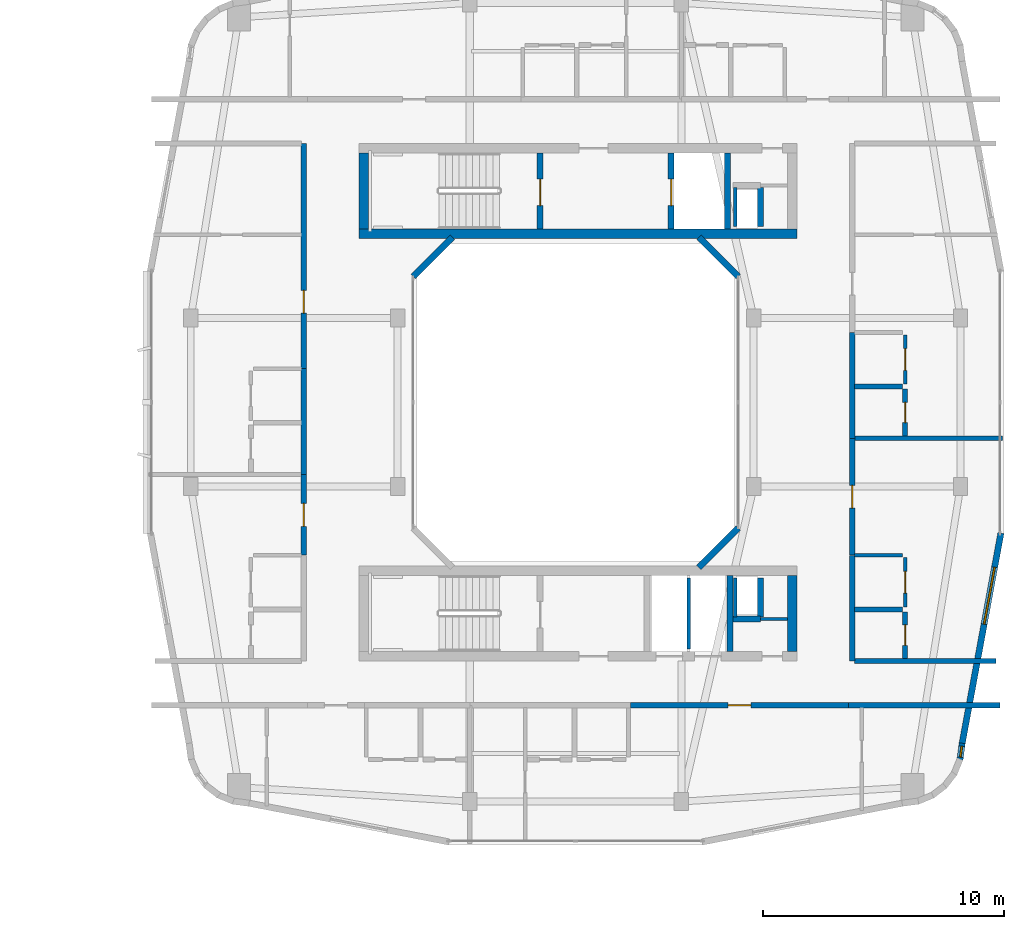
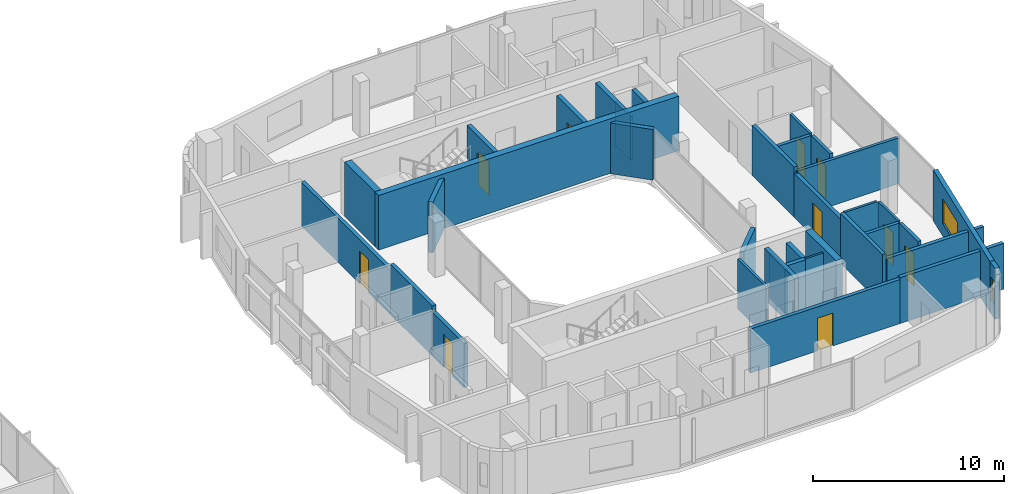
# One storey, part 18 of 26: 36 walls, 10 doors, 2 windows, 12 openings.
"""IFC4 building model written with IfcOpenShell, lengths in metres."""

from ifc_helpers import new_model, si_unit, derived_unit, direction, frame, frame_2d, origin, place, context, subcontext, project, spatial, rectangle, extrude, material, layer, layer_set, type_object, element, fill, save


model = new_model("IFC4")

# Units and contexts
model_context = context("Model", 3, precision=1e-05, world=origin(), true_north=direction((0.0, 1.0)))
body_context = subcontext(model_context, "Body", "Model", "MODEL_VIEW")
ifc_project = project(units=[si_unit("LENGTHUNIT", "METRE"), si_unit("AREAUNIT", "SQUARE_METRE"), si_unit("VOLUMEUNIT", "CUBIC_METRE"), si_unit("PLANEANGLEUNIT", "RADIAN"), si_unit("MASSUNIT", "GRAM", prefix="KILO"), derived_unit("THERMALTRANSMITTANCEUNIT", [(si_unit("POWERUNIT", "WATT"), 1), (si_unit("LENGTHUNIT", "METRE"), -2), (si_unit("THERMODYNAMICTEMPERATUREUNIT", "KELVIN"), -1)])], contexts=[model_context])

# Site, building, storey
site_placement = place(None, origin())
site = spatial("IfcSite", under=ifc_project, at=site_placement, CompositionType="ELEMENT")
building_placement = place(site_placement, origin())
building = spatial("IfcBuilding", under=site, at=building_placement, Name="Kivonza Crest Hotel", CompositionType="ELEMENT")
storey_placement = place(building_placement, frame((0.0, 0.0, 95.0)))
storey = spatial("IfcBuildingStorey", under=building, at=storey_placement, Name="L25", CompositionType="ELEMENT", Elevation=95.0)

# Walls
ifc_material_1 = material(Name="High-density acoustic masonry inter-tenancy wall", Category="masonry")
ifc_layer_1 = layer(ifc_material_1, 0.179931640625)
ifc_layer_set_1 = layer_set([ifc_layer_1], Name="High-density acoustic masonry inter-tenancy wall")
wall_type_1 = type_object("IfcWallType", Name="WL-ACOU-180", PredefinedType="SOLIDWALL", material=ifc_layer_set_1)
wall_1_placement = place(storey_placement, frame((88.5, 23.5, 0.0), z_axis=(0.0, 0.0, 1.0), x_axis=(1.0, 0.0, 0.0)))
element("IfcWall", 1, at=wall_1_placement, inside=storey, type_object=wall_type_1, Name="L25 interior partition WA-L25-T2E-DIV1", PredefinedType="SOLIDWALL", context=body_context, shape_type="SweptSolid", body=[
    extrude(rectangle(XDim=6.239990234375, YDim=0.179931640625, at=frame_2d((3.1201171875, 0.0))), origin(), (0.0, 0.0, 1.0), 2.945068359375),
])
ifc_material_2 = material(Name="Autoclaved aerated concrete blockwork", Category="masonry")
ifc_layer_2 = layer(ifc_material_2, 0.219970703125)
ifc_layer_set_2 = layer_set([ifc_layer_2], Name="Autoclaved aerated concrete blockwork")
wall_type_2 = type_object("IfcWallType", Name="WL-ACOU-220", PredefinedType="SOLIDWALL", material=ifc_layer_set_2)
wall_2_placement = place(storey_placement, frame((88.35009765625, 12.39990234375, 0.0), z_axis=(0.0, 0.0, 1.0), x_axis=(1.0, 0.0, 0.0)))
element("IfcWall", 2, at=wall_2_placement, inside=storey, type_object=wall_type_2, Name="L25 interior partition WA-L25-A04-RCORR", PredefinedType="SOLIDWALL", context=body_context, shape_type="SweptSolid", body=[
    extrude(rectangle(XDim=6.289794921875, YDim=0.219970703125, at=frame_2d((3.14501953125, 0.0))), origin(), (0.0, 0.0, 1.0), 2.945068359375),
])

# Wall, opening, door
wall_3_placement = place(storey_placement, frame((79.280029296875, 12.39990234375, 0.0), z_axis=(0.0, 0.0, 1.0), x_axis=(1.0, 0.0, 0.0)))
wall_3 = element("IfcWall", 3, at=wall_3_placement, inside=storey, type_object=wall_type_2, Name="L25 interior partition WA-L25-A04-MCORR", PredefinedType="SOLIDWALL", context=body_context, shape_type="SweptSolid", body=[
    extrude(rectangle(XDim=9.070068359375, YDim=0.219970703125, at=frame_2d((4.53515625, 0.0))), origin(), (0.0, 0.0, 1.0), 2.824951171875),
])
opening_1_placement = place(wall_3_placement, frame((4.06005859375, 0.0, 0.0)))
opening_1 = element("IfcOpeningElement", 4, at=opening_1_placement, cuts=wall_3, Name="Opening DU-60", PredefinedType="OPENING", context=body_context, shape_type="SweptSolid", body=[
    extrude(rectangle(XDim=0.949951171875, YDim=2.10009765625, at=frame_2d((0.47509765625, 1.050048828125))), frame((0.0, 0.1201171875, 0.0), z_axis=(0.0, -1.0, 0.0), x_axis=(1.0, 0.0, 0.0)), (0.0, 0.0, 1.0), 0.239990234375),
])
ifc_material_3 = material(Name="Hardwood timber oak", Category="wood")
door_type_1 = type_object("IfcDoorType", Name="DR-UNIT-950", OperationType="NOTDEFINED", PredefinedType="DOOR", material=ifc_material_3)
door_1_placement = place(opening_1_placement, frame((0.949951171875, 0.0, 0.0), z_axis=(0.0, 0.0, 1.0), x_axis=(-1.0, 0.0, 0.0)))
door_1 = element("IfcDoor", 5, at=door_1_placement, inside=storey, type_object=door_type_1, Name="L25 A04 apartment entrance fire door", OperationType="SINGLE_SWING_RIGHT", OverallHeight=2.10009765625, OverallWidth=0.949951171875, PredefinedType="DOOR", context=body_context, shape_type="SweptSolid", body=[
    extrude(rectangle(XDim=0.949951171875, YDim=2.10009765625, at=frame_2d((0.47509765625, 1.050048828125))), frame((0.0, 0.02490234375, 0.0), z_axis=(0.0, -1.0, 0.0), x_axis=(1.0, 0.0, 0.0)), (0.0, 0.0, 1.0), 0.050048828125),
])
fill(opening_1, door_1)

wall_4_placement = place(storey_placement, frame((65.699951171875, 18.639892578125, 0.0), z_axis=(0.0, 0.0, 1.0), x_axis=(0.0, 1.0, 0.0)))
wall_4 = element("IfcWall", 6, at=wall_4_placement, inside=storey, type_object=wall_type_2, Name="L25 interior partition WA-L25-A05-MCORR", PredefinedType="SOLIDWALL", context=body_context, shape_type="SweptSolid", body=[
    extrude(rectangle(XDim=3.360107421875, YDim=0.219970703125, at=frame_2d((1.68017578125, 0.0))), origin(), (0.0, 0.0, 1.0), 2.824951171875),
])
opening_2_placement = place(wall_4_placement, frame((1.205078125, 0.0, 0.0)))
opening_2 = element("IfcOpeningElement", 7, at=opening_2_placement, cuts=wall_4, Name="Opening DU-60", PredefinedType="OPENING", context=body_context, shape_type="SweptSolid", body=[
    extrude(rectangle(XDim=0.949951171875, YDim=2.10009765625, at=frame_2d((0.47509765625, 1.050048828125))), frame((0.0, 0.1201171875, 0.0), z_axis=(0.0, -1.0, 0.0), x_axis=(1.0, 0.0, 0.0)), (0.0, 0.0, 1.0), 0.239990234375),
])
door_2_placement = place(opening_2_placement, origin())
door_2 = element("IfcDoor", 8, at=door_2_placement, inside=storey, type_object=door_type_1, Name="L25 A05 apartment entrance fire door", OperationType="SINGLE_SWING_LEFT", OverallHeight=2.10009765625, OverallWidth=0.949951171875, PredefinedType="DOOR", context=body_context, shape_type="SweptSolid", body=[
    extrude(rectangle(XDim=0.949951171875, YDim=2.10009765625, at=frame_2d((0.47509765625, 1.050048828125))), frame((0.0, 0.02490234375, 0.0), z_axis=(0.0, -1.0, 0.0), x_axis=(1.0, 0.0, 0.0)), (0.0, 0.0, 1.0), 0.050048828125),
])
fill(opening_2, door_2)

# Wall
wall_5_placement = place(storey_placement, frame((65.699951171875, 22.0, 0.0), z_axis=(0.0, 0.0, 1.0), x_axis=(0.0, 1.0, 0.0)))
element("IfcWall", 9, at=wall_5_placement, inside=storey, type_object=wall_type_2, Name="L25 interior partition WA-L25-A06-BCORR", PredefinedType="SOLIDWALL", context=body_context, shape_type="SweptSolid", body=[
    extrude(rectangle(XDim=4.39990234375, YDim=0.219970703125, at=frame_2d((2.199951171875, 0.0))), origin(), (0.0, 0.0, 1.0), 3.219970703125),
])

# Wall, opening, door
wall_6_placement = place(storey_placement, frame((65.699951171875, 26.39990234375, 0.0), z_axis=(0.0, 0.0, 1.0), x_axis=(0.0, 1.0, 0.0)))
wall_6 = element("IfcWall", 10, at=wall_6_placement, inside=storey, type_object=wall_type_2, Name="L25 interior partition WA-L25-A06-MCORR", PredefinedType="SOLIDWALL", context=body_context, shape_type="SweptSolid", body=[
    extrude(rectangle(XDim=9.360107421875, YDim=0.219970703125, at=frame_2d((4.68017578125, 0.0))), origin(), (0.0, 0.0, 1.0), 2.824951171875),
])
opening_3_placement = place(wall_6_placement, frame((2.304931640625, 0.0, 0.0)))
opening_3 = element("IfcOpeningElement", 11, at=opening_3_placement, cuts=wall_6, Name="Opening DU-60", PredefinedType="OPENING", context=body_context, shape_type="SweptSolid", body=[
    extrude(rectangle(XDim=0.949951171875, YDim=2.10009765625, at=frame_2d((0.47509765625, 1.050048828125))), frame((0.0, 0.1201171875, 0.0), z_axis=(0.0, -1.0, 0.0), x_axis=(1.0, 0.0, 0.0)), (0.0, 0.0, 1.0), 0.239990234375),
])
door_3_placement = place(opening_3_placement, origin())
door_3 = element("IfcDoor", 12, at=door_3_placement, inside=storey, type_object=door_type_1, Name="L25 A06 apartment entrance fire door", OperationType="SINGLE_SWING_RIGHT", OverallHeight=2.10009765625, OverallWidth=0.949951171875, PredefinedType="DOOR", context=body_context, shape_type="SweptSolid", body=[
    extrude(rectangle(XDim=0.949951171875, YDim=2.10009765625, at=frame_2d((0.47509765625, 1.050048828125))), frame((0.0, 0.02490234375, 0.0), z_axis=(0.0, -1.0, 0.0), x_axis=(1.0, 0.0, 0.0)), (0.0, 0.0, 1.0), 0.050048828125),
])
fill(opening_3, door_3)

# Walls
wall_7_placement = place(storey_placement, frame((88.60009765625, 14.239990234375, 0.0), z_axis=(0.0, 0.0, 1.0), x_axis=(1.0, 0.0, 0.0)))
element("IfcWall", 13, at=wall_7_placement, inside=storey, type_object=wall_type_2, Name="L25 interior partition WA-L25-T2E-ENDS", PredefinedType="SOLIDWALL", context=body_context, shape_type="SweptSolid", body=[
    extrude(rectangle(XDim=5.8798828125, YDim=0.219970703125, at=frame_2d((2.93994140625, 0.0))), origin(), (0.0, 0.0, 1.0), 2.945068359375),
])
wall_8_placement = place(storey_placement, frame((88.5, 14.239990234375, 0.0), z_axis=(0.0, 0.0, 1.0), x_axis=(0.0, 1.0, 0.0)))
element("IfcWall", 14, at=wall_8_placement, inside=storey, type_object=wall_type_2, Name="L25 interior partition WA-L25-A07-BCORR", PredefinedType="SOLIDWALL", context=body_context, shape_type="SweptSolid", body=[
    extrude(rectangle(XDim=4.39990234375, YDim=0.219970703125, at=frame_2d((2.199951171875, 0.0))), origin(), (0.0, 0.0, 1.0), 3.219970703125),
])

# Wall, opening, door
wall_9_placement = place(storey_placement, frame((88.5, 18.639892578125, 0.0), z_axis=(0.0, 0.0, 1.0), x_axis=(0.0, 1.0, 0.0)))
wall_9 = element("IfcWall", 15, at=wall_9_placement, inside=storey, type_object=wall_type_2, Name="L25 interior partition WA-L25-A07-MCORR", PredefinedType="SOLIDWALL", context=body_context, shape_type="SweptSolid", body=[
    extrude(rectangle(XDim=4.860107421875, YDim=0.219970703125, at=frame_2d((2.43017578125, 0.0))), origin(), (0.0, 0.0, 1.0), 2.824951171875),
])
opening_4_placement = place(wall_9_placement, frame((1.955078125, 0.0, 0.0)))
opening_4 = element("IfcOpeningElement", 16, at=opening_4_placement, cuts=wall_9, Name="Opening DU-60", PredefinedType="OPENING", context=body_context, shape_type="SweptSolid", body=[
    extrude(rectangle(XDim=0.949951171875, YDim=2.10009765625, at=frame_2d((0.47509765625, 1.050048828125))), frame((0.0, 0.1201171875, 0.0), z_axis=(0.0, -1.0, 0.0), x_axis=(1.0, 0.0, 0.0)), (0.0, 0.0, 1.0), 0.239990234375),
])
door_4_placement = place(opening_4_placement, frame((0.949951171875, 0.0, 0.0), z_axis=(0.0, 0.0, 1.0), x_axis=(-1.0, 0.0, 0.0)))
door_4 = element("IfcDoor", 17, at=door_4_placement, inside=storey, type_object=door_type_1, Name="L25 A07 apartment entrance fire door", OperationType="SINGLE_SWING_LEFT", OverallHeight=2.10009765625, OverallWidth=0.949951171875, PredefinedType="DOOR", context=body_context, shape_type="SweptSolid", body=[
    extrude(rectangle(XDim=0.949951171875, YDim=2.10009765625, at=frame_2d((0.47509765625, 1.050048828125))), frame((0.0, 0.02490234375, 0.0), z_axis=(0.0, -1.0, 0.0), x_axis=(1.0, 0.0, 0.0)), (0.0, 0.0, 1.0), 0.050048828125),
])
fill(opening_4, door_4)

# Walls
wall_10_placement = place(storey_placement, frame((88.5, 23.5, 0.0), z_axis=(0.0, 0.0, 1.0), x_axis=(0.0, 1.0, 0.0)))
element("IfcWall", 18, at=wall_10_placement, inside=storey, type_object=wall_type_2, Name="L25 interior partition WA-L25-A08-BCORR", PredefinedType="SOLIDWALL", context=body_context, shape_type="SweptSolid", body=[
    extrude(rectangle(XDim=4.39990234375, YDim=0.219970703125, at=frame_2d((2.199951171875, 0.0))), origin(), (0.0, 0.0, 1.0), 3.219970703125),
])
ifc_material_4 = material(Name="Concrete C50/60", Category="concrete")
ifc_layer_3 = layer(ifc_material_4, 0.39990234375)
ifc_layer_set_3 = layer_set([ifc_layer_3], Name="Concrete C50/60")
wall_type_3 = type_object("IfcWallType", Name="WL-CORE-400", PredefinedType="SHEAR", material=ifc_layer_set_3)
wall_11_placement = place(storey_placement, frame((68.0, 32.0, 0.0), z_axis=(0.0, 0.0, 1.0), x_axis=(1.0, 0.0, 0.0)))
element("IfcWall", 19, at=wall_11_placement, inside=storey, type_object=wall_type_3, Name="Core wall T2-N South L25", PredefinedType="SHEAR", context=body_context, shape_type="SweptSolid", body=[
    extrude(rectangle(XDim=18.199951171875, YDim=0.39990234375, at=frame_2d((9.10009765625, 0.0))), origin(), (0.0, 0.0, 1.0), 3.5),
])
for number, where, z_axis, x_axis, name in (
    (20, (68.199951171875, 32.199951171875, 0.0), (0.0, 0.0, 1.0), (0.0, 1.0, 0.0), "Core wall T2-N West L25"),
    (21, (86.0, 14.639892578125, 0.0), (0.0, 0.0, 1.0), (0.0, 1.0, 0.0), "Core wall T2-S East L25"),
):
    element("IfcWall", number, at=place(storey_placement, frame(where, z_axis=z_axis, x_axis=x_axis)), inside=storey, type_object=wall_type_3, Name=name, PredefinedType="SHEAR", context=body_context, shape_type="SweptSolid", body=[
        extrude(rectangle(XDim=3.16015625, YDim=0.39990234375, at=frame_2d((1.580078125, 0.0))), origin(), (0.0, 0.0, 1.0), 3.5),
    ])

# Wall, opening, window
ifc_material_5 = material(Name="Precast concrete C40/50", Category="concrete")
ifc_layer_4 = layer(ifc_material_5, 0.260009765625)
ifc_layer_set_4 = layer_set([ifc_layer_4], Name="Precast concrete C40/50")
wall_type_4 = type_object("IfcWallType", Name="WL-EXT-260", PredefinedType="STANDARD", material=ifc_layer_set_4)
wall_12_placement = place(storey_placement, frame((92.97900390625, 10.118896484375, 0.0), z_axis=(0.0, 0.0, 1.0), x_axis=(0.130614135366, 0.991433279471, 0.0)))
wall_12 = element("IfcWall", 22, at=wall_12_placement, inside=storey, type_object=wall_type_4, Name="L25 T2 exterior insulated wall 15", PredefinedType="STANDARD", context=body_context, shape_type="SweptSolid", body=[
    extrude(rectangle(XDim=0.712158203125, YDim=0.260009765625, at=frame_2d((0.35595703125, 0.0))), origin(), (0.0, 0.0, 1.0), 3.25),
])
opening_5_placement = place(wall_12_placement, frame((0.131103515625, 0.0, 0.85009765625)))
opening_5 = element("IfcOpeningElement", 23, at=opening_5_placement, cuts=wall_12, Name="Opening WN-11", PredefinedType="OPENING", context=body_context, shape_type="SweptSolid", body=[
    extrude(rectangle(XDim=0.449951171875, YDim=1.5, at=frame_2d((0.22509765625, 0.75))), frame((0.0, 0.14013671875, 0.0), z_axis=(0.0, -1.0, 0.0), x_axis=(1.0, 0.0, 0.0)), (0.0, 0.0, 1.0), 0.280029296875),
])
ifc_material_6 = material(Name="Thermally broken bronze aluminium and low-E double glazing", Category="aluminium")
window_type_1 = type_object("IfcWindowType", Name="WN-045x150", PartitioningType="SINGLE_PANEL", PredefinedType="WINDOW", material=ifc_material_6)
window_1_placement = place(opening_5_placement, origin())
window_1 = element("IfcWindow", 24, at=window_1_placement, inside=storey, type_object=window_type_1, Name="L25 corner vision window 6", OverallHeight=1.5, OverallWidth=0.449951171875, PartitioningType="SINGLE_PANEL", PredefinedType="WINDOW", context=body_context, shape_type="SweptSolid", body=[
    extrude(rectangle(XDim=0.449951171875, YDim=1.5, at=frame_2d((0.22509765625, 0.75))), frame((0.0, 0.030029296875, 0.0), z_axis=(0.0, -1.0, 0.0), x_axis=(1.0, 0.0, 0.0)), (0.0, 0.0, 1.0), 0.06005859375),
])
fill(opening_5, window_1)

wall_13_placement = place(storey_placement, frame((93.071044921875, 10.81591796875, 0.0), z_axis=(0.0, 0.0, 1.0), x_axis=(0.181209963057, 0.983444431215, 0.0)))
wall_13 = element("IfcWall", 25, at=wall_13_placement, inside=storey, type_object=wall_type_4, Name="L25 T2 exterior insulated wall 16", PredefinedType="STANDARD", context=body_context, shape_type="SweptSolid", body=[
    extrude(rectangle(XDim=8.889404296875, YDim=0.260009765625, at=frame_2d((4.44482421875, 0.0))), origin(), (0.0, 0.0, 1.0), 3.25),
])
opening_6_placement = place(wall_13_placement, frame((5.044921875, 0.0, 0.800048828125)))
opening_6 = element("IfcOpeningElement", 26, at=opening_6_placement, cuts=wall_13, Name="Opening WN-05", PredefinedType="OPENING", context=body_context, shape_type="SweptSolid", body=[
    extrude(rectangle(XDim=2.39990234375, YDim=1.60009765625, at=frame_2d((1.199951171875, 0.800048828125))), frame((0.0, 0.14013671875, 0.0), z_axis=(0.0, -1.0, 0.0), x_axis=(1.0, 0.0, 0.0)), (0.0, 0.0, 1.0), 0.280029296875),
])
window_type_2 = type_object("IfcWindowType", Name="WN-240x160", PartitioningType="TRIPLE_PANEL_VERTICAL", PredefinedType="WINDOW", material=ifc_material_6)
window_2_placement = place(opening_6_placement, origin())
window_2 = element("IfcWindow", 27, at=window_2_placement, inside=storey, type_object=window_type_2, Name="L25 T2 facade window 16", OverallHeight=1.60009765625, OverallWidth=2.39990234375, PartitioningType="SINGLE_PANEL", PredefinedType="WINDOW", context=body_context, shape_type="SweptSolid", body=[
    extrude(rectangle(XDim=2.39990234375, YDim=1.60009765625, at=frame_2d((1.199951171875, 0.800048828125))), frame((0.0, 0.030029296875, 0.0), z_axis=(0.0, -1.0, 0.0), x_axis=(1.0, 0.0, 0.0)), (0.0, 0.0, 1.0), 0.06005859375),
])
fill(opening_6, window_2)

# Walls
for number, where, z_axis, x_axis, name in (
    (28, (82.1220703125, 18.137939453125, 0.0), (0.0, 0.0, 1.0), (0.707106781187, 0.707106781187, 0.0), "L25 T2 light-well exterior wall 2"),
    (29, (83.756103515625, 30.22802734375, 0.0), (0.0, 0.0, 1.0), (-0.707106781187, 0.707106781187, 0.0), "L25 T2 light-well exterior wall 4"),
    (30, (71.8779296875, 31.862060546875, 0.0), (0.0, 0.0, 1.0), (-0.707106781187, -0.707106781187, 0.0), "L25 T2 light-well exterior wall 6"),
):
    element("IfcWall", number, at=place(storey_placement, frame(where, z_axis=z_axis, x_axis=x_axis)), inside=storey, type_object=wall_type_4, Name=name, PredefinedType="STANDARD", context=body_context, shape_type="SweptSolid", body=[
        extrude(rectangle(XDim=2.310791015625, YDim=0.260009765625, at=frame_2d((1.1552734375, 0.0))), origin(), (0.0, 0.0, 1.0), 3.25),
    ])
ifc_material_7 = material(Name="Concrete blockwork fire-compartment wall", Category="masonry")
ifc_layer_5 = layer(ifc_material_7, 0.25)
ifc_layer_set_5 = layer_set([ifc_layer_5], Name="Concrete blockwork fire-compartment wall")
wall_type_5 = type_object("IfcWallType", Name="WL-FIRE-250", PredefinedType="SOLIDWALL", material=ifc_layer_set_5)
for number, where, z_axis, x_axis, name in (
    (31, (84.679931640625, 32.300048828125, 0.0), (0.0, 0.0, 1.0), (0.0, 1.0, 0.0), "L25 interior partition WA-L25-T2-N-MEPR-E"),
    (32, (84.679931640625, 16.080078125, 0.0), (0.0, 0.0, 1.0), (0.0, 1.0, 0.0), "L25 interior partition WA-L25-T2-S-MEPR-E"),
):
    element("IfcWall", number, at=place(storey_placement, frame(where, z_axis=z_axis, x_axis=x_axis)), inside=storey, type_object=wall_type_5, Name=name, PredefinedType="SOLIDWALL", context=body_context, shape_type="SweptSolid", body=[
        extrude(rectangle(XDim=1.619873046875, YDim=0.25, at=frame_2d((0.81005859375, 0.0))), origin(), (0.0, 0.0, 1.0), 3.219970703125),
    ])
wall_14_placement = place(storey_placement, frame((83.550048828125, 15.97998046875, 0.0), z_axis=(0.0, 0.0, 1.0), x_axis=(1.0, 0.0, 0.0)))
element("IfcWall", 33, at=wall_14_placement, inside=storey, type_object=wall_type_5, Name="L25 interior partition WA-L25-T2-S-MEPR-H", PredefinedType="SOLIDWALL", context=body_context, shape_type="SweptSolid", body=[
    extrude(rectangle(XDim=1.1298828125, YDim=0.25, at=frame_2d((0.56494140625, 0.0))), origin(), (0.0, 0.0, 1.0), 3.219970703125),
])
ifc_material_8 = material(Name="Metal-stud gypsum board partition", Category="gypsum")
ifc_layer_6 = layer(ifc_material_8, 0.125)
ifc_layer_set_6 = layer_set([ifc_layer_6], Name="Metal-stud gypsum board partition")
wall_type_6 = type_object("IfcWallType", Name="WL-PART-125", PredefinedType="PARTITIONING", material=ifc_layer_set_6)
wall_15_placement = place(storey_placement, frame((84.679931640625, 15.97998046875, 0.0), z_axis=(0.0, 0.0, 1.0), x_axis=(1.0, 0.0, 0.0)))
element("IfcWall", 34, at=wall_15_placement, inside=storey, type_object=wall_type_6, Name="L25 interior partition WP-L25-T2-S-T2H", PredefinedType="PARTITIONING", context=body_context, shape_type="SweptSolid", body=[
    extrude(rectangle(XDim=1.1201171875, YDim=0.125, at=frame_2d((0.56005859375, 0.0))), origin(), (0.0, 0.0, 1.0), 3.219970703125),
])
ifc_material_9 = material(Name="Twin-stud acoustic gypsum board partition", Category="gypsum")
ifc_layer_7 = layer(ifc_material_9, 0.14990234375)
ifc_layer_set_7 = layer_set([ifc_layer_7], Name="Twin-stud acoustic gypsum board partition")
wall_type_7 = type_object("IfcWallType", Name="WL-PART-150", PredefinedType="PARTITIONING", material=ifc_layer_set_7)
for number, where, z_axis, x_axis, name in (
    (35, (83.6298828125, 32.300048828125, 0.0), (0.0, 0.0, 1.0), (0.0, 1.0, 0.0), "L25 interior partition WA-L25-T2-N-MEPR-W"),
    (36, (83.6298828125, 16.080078125, 0.0), (0.0, 0.0, 1.0), (0.0, 1.0, 0.0), "L25 interior partition WA-L25-T2-S-MEPR-W"),
):
    element("IfcWall", number, at=place(storey_placement, frame(where, z_axis=z_axis, x_axis=x_axis)), inside=storey, type_object=wall_type_7, Name=name, PredefinedType="PARTITIONING", context=body_context, shape_type="SweptSolid", body=[
        extrude(rectangle(XDim=1.619873046875, YDim=0.14990234375, at=frame_2d((0.81005859375, 0.0))), origin(), (0.0, 0.0, 1.0), 2.824951171875),
    ])
wall_16_placement = place(storey_placement, frame((81.699951171875, 14.739990234375, 0.0), z_axis=(0.0, 0.0, 1.0), x_axis=(0.0, 1.0, 0.0)))
element("IfcWall", 37, at=wall_16_placement, inside=storey, type_object=wall_type_7, Name="L25 interior partition WP-L25-T2-S-BSH-1", PredefinedType="PARTITIONING", context=body_context, shape_type="SweptSolid", body=[
    extrude(rectangle(XDim=2.9599609375, YDim=0.14990234375, at=frame_2d((1.47998046875, 0.0))), origin(), (0.0, 0.0, 1.0), 3.219970703125),
])
wall_17_placement = place(storey_placement, frame((88.60009765625, 18.639892578125, 0.0), z_axis=(0.0, 0.0, 1.0), x_axis=(1.0, 0.0, 0.0)))
element("IfcWall", 38, at=wall_17_placement, inside=storey, type_object=wall_type_7, Name="L25 interior partition WP-L25-A07-KF", PredefinedType="PARTITIONING", context=body_context, shape_type="SweptSolid", body=[
    extrude(rectangle(XDim=2.0, YDim=0.14990234375, at=frame_2d((1.0, 0.0))), origin(), (0.0, 0.0, 1.0), 3.219970703125),
])

# Wall, opening, door
wall_18_placement = place(storey_placement, frame((90.699951171875, 16.489990234375, 0.0), z_axis=(0.0, 0.0, 1.0), x_axis=(0.0, 1.0, 0.0)))
wall_18 = element("IfcWall", 39, at=wall_18_placement, inside=storey, type_object=wall_type_7, Name="L25 interior partition WP-L25-A07-KSVC", PredefinedType="PARTITIONING", context=body_context, shape_type="SweptSolid", body=[
    extrude(rectangle(XDim=2.050048828125, YDim=0.14990234375, at=frame_2d((1.02490234375, 0.0))), origin(), (0.0, 0.0, 1.0), 3.219970703125),
])
opening_7_placement = place(wall_18_placement, frame((0.574951171875, 0.0, 0.0)))
opening_7 = element("IfcOpeningElement", 40, at=opening_7_placement, cuts=wall_18, Name="Opening DI-90", PredefinedType="OPENING", context=body_context, shape_type="SweptSolid", body=[
    extrude(rectangle(XDim=0.89990234375, YDim=2.10009765625, at=frame_2d((0.449951171875, 1.050048828125))), frame((0.0, 0.0849609375, 0.0), z_axis=(0.0, -1.0, 0.0), x_axis=(1.0, 0.0, 0.0)), (0.0, 0.0, 1.0), 0.169921875),
])
door_type_2 = type_object("IfcDoorType", Name="DR-INT-900", OperationType="NOTDEFINED", PredefinedType="DOOR", material=ifc_material_3)
door_5_placement = place(opening_7_placement, frame((0.89990234375, 0.0, 0.0), z_axis=(0.0, 0.0, 1.0), x_axis=(-1.0, 0.0, 0.0)))
door_5 = element("IfcDoor", 41, at=door_5_placement, inside=storey, type_object=door_type_2, Name="L25 A07 apartment kitchen door", OperationType="SINGLE_SWING_LEFT", OverallHeight=2.10009765625, OverallWidth=0.89990234375, PredefinedType="DOOR", context=body_context, shape_type="SweptSolid", body=[
    extrude(rectangle(XDim=0.89990234375, YDim=2.10009765625, at=frame_2d((0.449951171875, 1.050048828125))), frame((0.0, 0.02490234375, 0.0), z_axis=(0.0, -1.0, 0.0), x_axis=(1.0, 0.0, 0.0)), (0.0, 0.0, 1.0), 0.050048828125),
])
fill(opening_7, door_5)

wall_19_placement = place(storey_placement, frame((90.699951171875, 25.75, 0.0), z_axis=(0.0, 0.0, 1.0), x_axis=(0.0, 1.0, 0.0)))
wall_19 = element("IfcWall", 42, at=wall_19_placement, inside=storey, type_object=wall_type_7, Name="L25 interior partition WP-L25-A08-KSVC", PredefinedType="PARTITIONING", context=body_context, shape_type="SweptSolid", body=[
    extrude(rectangle(XDim=2.050048828125, YDim=0.14990234375, at=frame_2d((1.02490234375, 0.0))), origin(), (0.0, 0.0, 1.0), 3.219970703125),
])
opening_8_placement = place(wall_19_placement, frame((0.574951171875, 0.0, 0.0)))
opening_8 = element("IfcOpeningElement", 43, at=opening_8_placement, cuts=wall_19, Name="Opening DI-90", PredefinedType="OPENING", context=body_context, shape_type="SweptSolid", body=[
    extrude(rectangle(XDim=0.89990234375, YDim=2.10009765625, at=frame_2d((0.449951171875, 1.050048828125))), frame((0.0, 0.0849609375, 0.0), z_axis=(0.0, -1.0, 0.0), x_axis=(1.0, 0.0, 0.0)), (0.0, 0.0, 1.0), 0.169921875),
])
door_6_placement = place(opening_8_placement, frame((0.89990234375, 0.0, 0.0), z_axis=(0.0, 0.0, 1.0), x_axis=(-1.0, 0.0, 0.0)))
door_6 = element("IfcDoor", 44, at=door_6_placement, inside=storey, type_object=door_type_2, Name="L25 A08 apartment kitchen door", OperationType="SINGLE_SWING_RIGHT", OverallHeight=2.10009765625, OverallWidth=0.89990234375, PredefinedType="DOOR", context=body_context, shape_type="SweptSolid", body=[
    extrude(rectangle(XDim=0.89990234375, YDim=2.10009765625, at=frame_2d((0.449951171875, 1.050048828125))), frame((0.0, 0.02490234375, 0.0), z_axis=(0.0, -1.0, 0.0), x_axis=(1.0, 0.0, 0.0)), (0.0, 0.0, 1.0), 0.050048828125),
])
fill(opening_8, door_6)

# Wall
ifc_material_10 = material(Name="Moisture-resistant plumbing chase partition wall", Category="gypsum")
ifc_layer_8 = layer(ifc_material_10, 0.199951171875)
ifc_layer_set_8 = layer_set([ifc_layer_8], Name="Moisture-resistant plumbing chase partition wall")
wall_type_8 = type_object("IfcWallType", Name="WL-PLUMB-200", PredefinedType="PLUMBINGWALL", material=ifc_layer_set_8)
wall_20_placement = place(storey_placement, frame((88.60009765625, 16.389892578125, 0.0), z_axis=(0.0, 0.0, 1.0), x_axis=(1.0, 0.0, 0.0)))
element("IfcWall", 45, at=wall_20_placement, inside=storey, type_object=wall_type_8, Name="L25 interior partition WW-L25-A07-BK", PredefinedType="PLUMBINGWALL", context=body_context, shape_type="SweptSolid", body=[
    extrude(rectangle(XDim=2.0, YDim=0.199951171875, at=frame_2d((1.0, 0.0))), origin(), (0.0, 0.0, 1.0), 3.219970703125),
])

# Wall, opening, door
wall_21_placement = place(storey_placement, frame((90.699951171875, 14.340087890625, 0.0), z_axis=(0.0, 0.0, 1.0), x_axis=(0.0, 1.0, 0.0)))
wall_21 = element("IfcWall", 46, at=wall_21_placement, inside=storey, type_object=wall_type_8, Name="L25 interior partition WW-L25-A07-BSVC", PredefinedType="PLUMBINGWALL", context=body_context, shape_type="SweptSolid", body=[
    extrude(rectangle(XDim=1.949951171875, YDim=0.199951171875, at=frame_2d((0.97509765625, 0.0))), origin(), (0.0, 0.0, 1.0), 3.219970703125),
])
opening_9_placement = place(wall_21_placement, frame((0.550048828125, 0.0, 0.0)))
opening_9 = element("IfcOpeningElement", 47, at=opening_9_placement, cuts=wall_21, Name="Opening DI-85", PredefinedType="OPENING", context=body_context, shape_type="SweptSolid", body=[
    extrude(rectangle(XDim=0.85009765625, YDim=2.10009765625, at=frame_2d((0.425048828125, 1.050048828125))), frame((0.0, 0.10986328125, 0.0), z_axis=(0.0, -1.0, 0.0), x_axis=(1.0, 0.0, 0.0)), (0.0, 0.0, 1.0), 0.219970703125),
])
door_type_3 = type_object("IfcDoorType", Name="DR-INT-850", OperationType="NOTDEFINED", PredefinedType="DOOR", material=ifc_material_3)
door_7_placement = place(opening_9_placement, frame((0.85009765625, 0.0, 0.0), z_axis=(0.0, 0.0, 1.0), x_axis=(-1.0, 0.0, 0.0)))
door_7 = element("IfcDoor", 48, at=door_7_placement, inside=storey, type_object=door_type_3, Name="L25 A07 apartment bathroom door", OperationType="SINGLE_SWING_RIGHT", OverallHeight=2.10009765625, OverallWidth=0.85009765625, PredefinedType="DOOR", context=body_context, shape_type="SweptSolid", body=[
    extrude(rectangle(XDim=0.85009765625, YDim=2.10009765625, at=frame_2d((0.425048828125, 1.050048828125))), frame((0.0, 0.02490234375, 0.0), z_axis=(0.0, -1.0, 0.0), x_axis=(1.0, 0.0, 0.0)), (0.0, 0.0, 1.0), 0.050048828125),
])
fill(opening_9, door_7)

# Wall
wall_22_placement = place(storey_placement, frame((88.60009765625, 25.64990234375, 0.0), z_axis=(0.0, 0.0, 1.0), x_axis=(1.0, 0.0, 0.0)))
element("IfcWall", 49, at=wall_22_placement, inside=storey, type_object=wall_type_8, Name="L25 interior partition WW-L25-A08-BK", PredefinedType="PLUMBINGWALL", context=body_context, shape_type="SweptSolid", body=[
    extrude(rectangle(XDim=2.0, YDim=0.199951171875, at=frame_2d((1.0, 0.0))), origin(), (0.0, 0.0, 1.0), 3.219970703125),
])

# Wall, opening, door
wall_23_placement = place(storey_placement, frame((90.699951171875, 23.60009765625, 0.0), z_axis=(0.0, 0.0, 1.0), x_axis=(0.0, 1.0, 0.0)))
wall_23 = element("IfcWall", 50, at=wall_23_placement, inside=storey, type_object=wall_type_8, Name="L25 interior partition WW-L25-A08-BSVC", PredefinedType="PLUMBINGWALL", context=body_context, shape_type="SweptSolid", body=[
    extrude(rectangle(XDim=1.949951171875, YDim=0.199951171875, at=frame_2d((0.97509765625, 0.0))), origin(), (0.0, 0.0, 1.0), 3.219970703125),
])
opening_10_placement = place(wall_23_placement, frame((0.550048828125, 0.0, 0.0)))
opening_10 = element("IfcOpeningElement", 51, at=opening_10_placement, cuts=wall_23, Name="Opening DI-85", PredefinedType="OPENING", context=body_context, shape_type="SweptSolid", body=[
    extrude(rectangle(XDim=0.85009765625, YDim=2.10009765625, at=frame_2d((0.425048828125, 1.050048828125))), frame((0.0, 0.10986328125, 0.0), z_axis=(0.0, -1.0, 0.0), x_axis=(1.0, 0.0, 0.0)), (0.0, 0.0, 1.0), 0.219970703125),
])
door_8_placement = place(opening_10_placement, frame((0.85009765625, 0.0, 0.0), z_axis=(0.0, 0.0, 1.0), x_axis=(-1.0, 0.0, 0.0)))
door_8 = element("IfcDoor", 52, at=door_8_placement, inside=storey, type_object=door_type_3, Name="L25 A08 apartment bathroom door", OperationType="SINGLE_SWING_LEFT", OverallHeight=2.10009765625, OverallWidth=0.85009765625, PredefinedType="DOOR", context=body_context, shape_type="SweptSolid", body=[
    extrude(rectangle(XDim=0.85009765625, YDim=2.10009765625, at=frame_2d((0.425048828125, 1.050048828125))), frame((0.0, 0.02490234375, 0.0), z_axis=(0.0, -1.0, 0.0), x_axis=(1.0, 0.0, 0.0)), (0.0, 0.0, 1.0), 0.050048828125),
])
fill(opening_10, door_8)

ifc_layer_9 = layer(ifc_material_4, 0.25)
ifc_layer_set_9 = layer_set([ifc_layer_9], Name="Concrete C50/60")
wall_type_9 = type_object("IfcWallType", Name="WL-SHAFT-250", PredefinedType="STANDARD", material=ifc_layer_set_9)
wall_24_placement = place(storey_placement, frame((75.52490234375, 32.199951171875, 0.0), z_axis=(0.0, 0.0, 1.0), x_axis=(0.0, 1.0, 0.0)))
wall_24 = element("IfcWall", 53, at=wall_24_placement, inside=storey, type_object=wall_type_9, Name="Core shaft wall T2-N STAIR L25", PredefinedType="STANDARD", context=body_context, shape_type="SweptSolid", body=[
    extrude(rectangle(XDim=3.16015625, YDim=0.25, at=frame_2d((1.580078125, 0.0))), origin(), (0.0, 0.0, 1.0), 3.25),
])
opening_11_placement = place(wall_24_placement, frame((0.97998046875, 0.0, 0.0)))
opening_11 = element("IfcOpeningElement", 54, at=opening_11_placement, cuts=wall_24, Name="Opening DF-120", PredefinedType="OPENING", context=body_context, shape_type="SweptSolid", body=[
    extrude(rectangle(XDim=1.10009765625, YDim=2.14990234375, at=frame_2d((0.550048828125, 1.074951171875))), frame((0.0, 0.135009765625, 0.0), z_axis=(0.0, -1.0, 0.0), x_axis=(1.0, 0.0, 0.0)), (0.0, 0.0, 1.0), 0.27001953125),
])
ifc_material_11 = material(Name="Galvanised steel", Category="steel")
door_type_4 = type_object("IfcDoorType", Name="DR-FD120-1100", OperationType="NOTDEFINED", PredefinedType="DOOR", material=ifc_material_11)
door_9_placement = place(opening_11_placement, frame((1.10009765625, 0.0, 0.0), z_axis=(0.0, 0.0, 1.0), x_axis=(-1.0, 0.0, 0.0)))
door_9 = element("IfcDoor", 55, at=door_9_placement, inside=storey, type_object=door_type_4, Name="L25 T2-N stair fire door", OperationType="SINGLE_SWING_LEFT", OverallHeight=2.14990234375, OverallWidth=1.10009765625, PredefinedType="DOOR", context=body_context, shape_type="SweptSolid", body=[
    extrude(rectangle(XDim=1.10009765625, YDim=2.14990234375, at=frame_2d((0.550048828125, 1.074951171875))), frame((0.0, 0.02490234375, 0.0), z_axis=(0.0, -1.0, 0.0), x_axis=(1.0, 0.0, 0.0)), (0.0, 0.0, 1.0), 0.050048828125),
])
fill(opening_11, door_9)

wall_25_placement = place(storey_placement, frame((80.97509765625, 32.199951171875, 0.0), z_axis=(0.0, 0.0, 1.0), x_axis=(0.0, 1.0, 0.0)))
wall_25 = element("IfcWall", 56, at=wall_25_placement, inside=storey, type_object=wall_type_9, Name="Core shaft wall T2-N FFL-W L25", PredefinedType="STANDARD", context=body_context, shape_type="SweptSolid", body=[
    extrude(rectangle(XDim=3.16015625, YDim=0.25, at=frame_2d((1.580078125, 0.0))), origin(), (0.0, 0.0, 1.0), 3.25),
])
opening_12_placement = place(wall_25_placement, frame((0.97998046875, 0.0, 0.0)))
opening_12 = element("IfcOpeningElement", 57, at=opening_12_placement, cuts=wall_25, Name="Opening LD-120", PredefinedType="OPENING", context=body_context, shape_type="SweptSolid", body=[
    extrude(rectangle(XDim=1.10009765625, YDim=2.14990234375, at=frame_2d((0.550048828125, 1.074951171875))), frame((0.0, 0.135009765625, 0.0), z_axis=(0.0, -1.0, 0.0), x_axis=(1.0, 0.0, 0.0)), (0.0, 0.0, 1.0), 0.27001953125),
])
ifc_material_12 = material(Name="Stainless steel", Category="steel")
door_type_5 = type_object("IfcDoorType", Name="DR-LD120-1100", OperationType="NOTDEFINED", PredefinedType="DOOR", material=ifc_material_12)
door_10_placement = place(opening_12_placement, origin())
door_10 = element("IfcDoor", 58, at=door_10_placement, inside=storey, type_object=door_type_5, Name="L25 FFL-T2 firefighting lift sliding landing door", OperationType="DOUBLE_DOOR_SLIDING", OverallHeight=2.14990234375, OverallWidth=1.10009765625, PredefinedType="DOOR", context=body_context, shape_type="SweptSolid", body=[
    extrude(rectangle(XDim=1.10009765625, YDim=2.14990234375, at=frame_2d((0.550048828125, 1.074951171875))), frame((0.0, 0.02490234375, 0.0), z_axis=(0.0, -1.0, 0.0), x_axis=(1.0, 0.0, 0.0)), (0.0, 0.0, 1.0), 0.050048828125),
])
fill(opening_12, door_10)

# Walls
for number, where, z_axis, x_axis, name in (
    (59, (83.324951171875, 32.199951171875, 0.0), (0.0, 0.0, 1.0), (0.0, 1.0, 0.0), "Core shaft wall T2-N FFL-E L25"),
    (60, (83.425048828125, 14.639892578125, 0.0), (0.0, 0.0, 1.0), (0.0, 1.0, 0.0), "Core shaft wall T2-S BANK-E L25"),
):
    element("IfcWall", number, at=place(storey_placement, frame(where, z_axis=z_axis, x_axis=x_axis)), inside=storey, type_object=wall_type_9, Name=name, PredefinedType="STANDARD", context=body_context, shape_type="SweptSolid", body=[
        extrude(rectangle(XDim=3.16015625, YDim=0.25, at=frame_2d((1.580078125, 0.0))), origin(), (0.0, 0.0, 1.0), 3.25),
    ])

save(model, "model.ifc")
